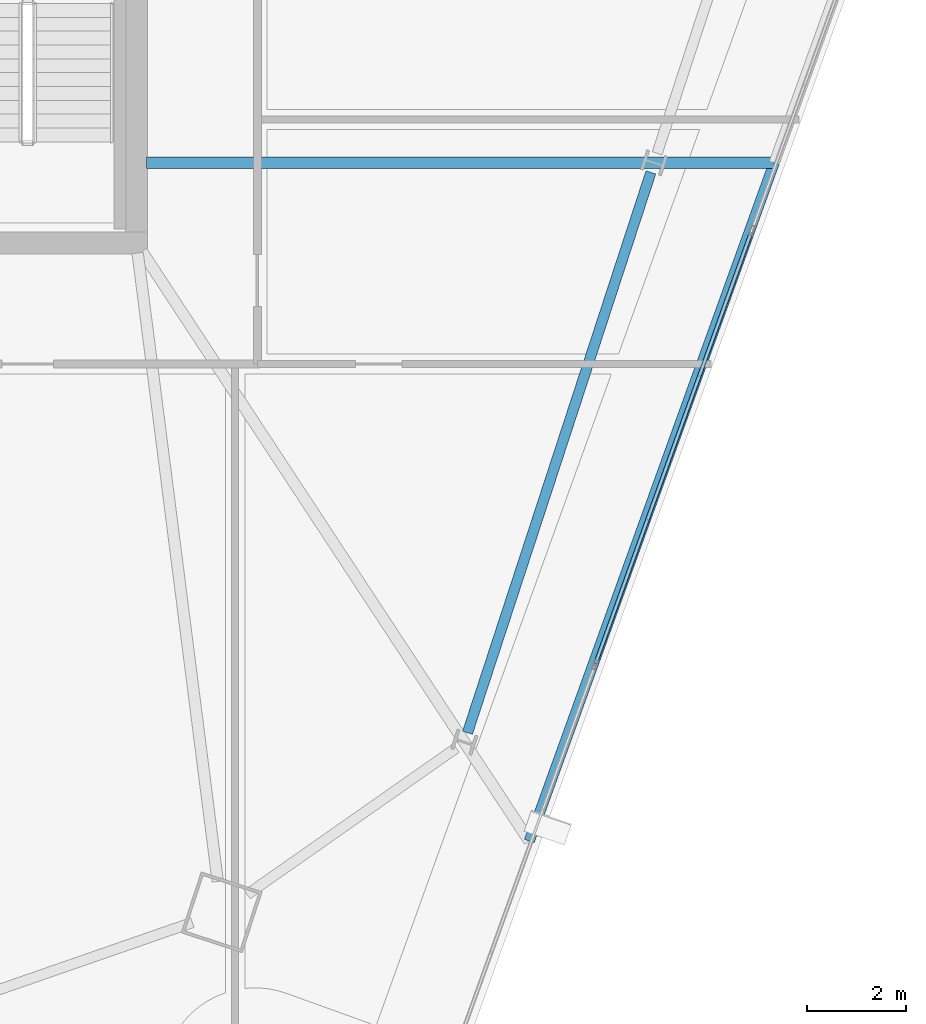
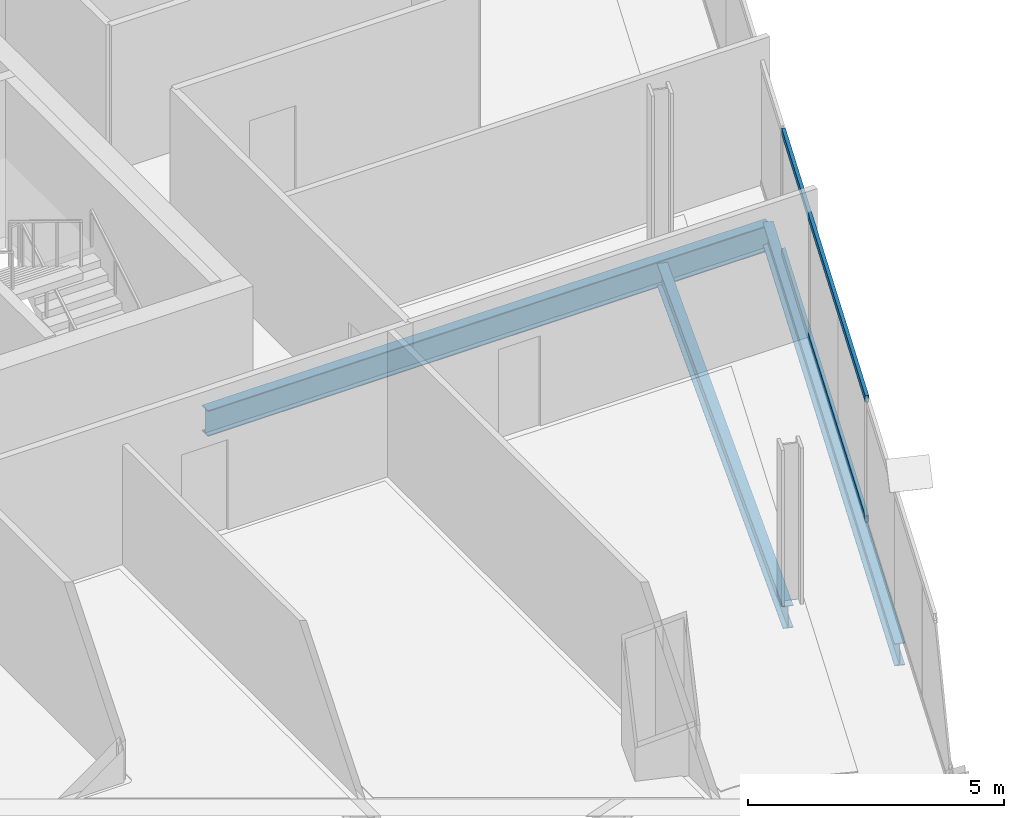
# One storey, part 10 of 27: 3 beams, 2 members, 1 element without a shape of its own.
"""IFC4 building model written with IfcOpenShell, lengths in metres."""

from ifc_helpers import new_model, si_unit, direction, frame, origin, origin_2d, place, context, subcontext, project, spatial, hollow_rectangle, i_section, extrude, material, material_profile, profile_set, type_object, element, aggregate, save


model = new_model("IFC4")

# Units and contexts
model_context = context("Model", 3, precision=1e-05, world=origin(), true_north=direction((0.0, 1.0)))
body_context = subcontext(model_context, "Body", "Model", "MODEL_VIEW")
ifc_project = project(units=[si_unit("LENGTHUNIT", "METRE"), si_unit("AREAUNIT", "SQUARE_METRE"), si_unit("VOLUMEUNIT", "CUBIC_METRE"), si_unit("PLANEANGLEUNIT", "RADIAN"), si_unit("MASSUNIT", "GRAM", prefix="KILO")], contexts=[model_context])

# Site, building, storey
site_placement = place(None, origin())
site = spatial("IfcSite", under=ifc_project, at=site_placement, CompositionType="ELEMENT")
building_placement = place(site_placement, origin())
building = spatial("IfcBuilding", under=site, at=building_placement, Name="Haldenkirk Collegiate Tower", CompositionType="ELEMENT")
storey_placement = place(building_placement, frame((0.0, 0.0, 263.699951171875)))
storey = spatial("IfcBuildingStorey", under=building, at=storey_placement, Name="L66", CompositionType="ELEMENT", Elevation=263.699951171875)

# Beams
ifc_material_1 = material(Name="Steel ASTM A992 Grade 50", Category="steel")
ifc_material_profile_1 = material_profile(ifc_material_1, i_section(OverallWidth=0.22998046875, OverallDepth=0.616943359375, WebThickness=0.01318359375, FlangeThickness=0.022216796875, at=origin_2d()), Name="W24X94")
ifc_profile_set_1 = profile_set([ifc_material_profile_1], Name="Steel ASTM A992 Grade 50")
beam_type_1 = type_object("IfcBeamType", Name="BM-GIRDER-W24X94", PredefinedType="BEAM", material=ifc_profile_set_1)
beam_1_placement = place(storey_placement, frame((57.917236328125, 19.624267578125, -0.578369140625), z_axis=(-1.0, 0.0, 0.0), x_axis=(0.0, -1.0, 0.0)))
element("IfcBeam", 1, at=beam_1_placement, inside=storey, type_object=beam_type_1, Name="L66 primary floor girder 06", PredefinedType="BEAM", context=body_context, shape_type="SweptSolid", body=[
    extrude(i_section(OverallWidth=0.22998046875, OverallDepth=0.616943359375, WebThickness=0.01318359375, FlangeThickness=0.022216796875, at=origin_2d()), origin(), (0.0, 0.0, 1.0), 12.712158203125),
])
ifc_material_profile_2 = material_profile(ifc_material_1, i_section(OverallWidth=0.2099609375, OverallDepth=0.537109375, WebThickness=0.010986328125, FlangeThickness=0.017333984375, at=origin_2d()), Name="W21X68")
ifc_profile_set_2 = profile_set([ifc_material_profile_2], Name="Steel ASTM A992 Grade 50")
beam_type_2 = type_object("IfcBeamType", Name="BM-SPANDREL-W21X68", PredefinedType="SPANDREL", material=ifc_profile_set_2)
beam_2_placement = place(storey_placement, frame((51.7060546875, 8.081298828125, -0.538330078125), z_axis=(0.311010188249, 0.950406577631, 0.0), x_axis=(-0.950406577631, 0.311010188249, 0.0)))
element("IfcBeam", 2, at=beam_2_placement, inside=storey, type_object=beam_type_2, Name="L66 perimeter spandrel beam 02", PredefinedType="SPANDREL", context=body_context, shape_type="SweptSolid", body=[
    extrude(i_section(OverallWidth=0.2099609375, OverallDepth=0.537109375, WebThickness=0.010986328125, FlangeThickness=0.017333984375, at=origin_2d()), origin(), (0.0, 0.0, 1.0), 11.94287109375),
])
beam_3_placement = place(storey_placement, frame((52.9580078125, 5.88720703125, -0.538330078125), z_axis=(0.339561074215, 0.940584008411, 0.0), x_axis=(-0.940584008411, 0.339561074215, 0.0)))
element("IfcBeam", 3, at=beam_3_placement, inside=storey, type_object=beam_type_2, Name="L66 outer facade edge beam 1A", PredefinedType="SPANDREL", context=body_context, shape_type="SweptSolid", body=[
    extrude(i_section(OverallWidth=0.2099609375, OverallDepth=0.537109375, WebThickness=0.010986328125, FlangeThickness=0.017333984375, at=origin_2d()), origin(), (0.0, 0.0, 1.0), 14.604736328125),
])

# Curtain wall, members
ifc_material_2 = material(Name="Anodised architectural bronze aluminium", Category="aluminium")
curtain_wall_type = type_object("IfcCurtainWallType", Name="CW-SYS2-CONCAVE", PredefinedType="USERDEFINED", material=ifc_material_2)
curtain_wall_placement = place(storey_placement, origin())
curtain_wall = element("IfcCurtainWall", 4, at=curtain_wall_placement, inside=storey, type_object=curtain_wall_type, Name="L66 South concave recessed bronze-anodised curtain wall", ObjectType="UNITISED CURTAIN WALL", PredefinedType="USERDEFINED")
ifc_material_profile_3 = material_profile(ifc_material_2, hollow_rectangle(XDim=0.074951171875, YDim=0.159912109375, WallThickness=0.0048828125, at=origin_2d()), Name="CW-TRN-02")
ifc_profile_set_3 = profile_set([ifc_material_profile_3], Name="Anodised architectural bronze aluminium")
member_type = type_object("IfcMemberType", Name="CW-TRN-02", PredefinedType="USERDEFINED", material=ifc_profile_set_3)
member_1_placement = place(storey_placement, frame((57.451416015625, 18.216064453125, 0.03759765625), z_axis=(-0.339552613971, -0.940587062608, 0.0), x_axis=(0.940587062608, -0.339552613971, 0.0)))
member_1 = element("IfcMember", 5, at=member_1_placement, type_object=member_type, Name="CW-02 transom 3.1", ObjectType="TRANSOM", PredefinedType="USERDEFINED", context=body_context, shape_type="SweptSolid", body=[
    extrude(hollow_rectangle(XDim=0.074951171875, YDim=0.159912109375, WallThickness=0.0048828125, at=origin_2d()), origin(), (0.0, 0.0, 1.0), 9.275146484375),
])
member_2_placement = place(storey_placement, frame((57.451416015625, 18.216064453125, 2.900634765625), z_axis=(-0.339552613971, -0.940587062608, 0.0), x_axis=(0.940587062608, -0.339552613971, 0.0)))
member_2 = element("IfcMember", 6, at=member_2_placement, type_object=member_type, Name="CW-02 transom 3.2", ObjectType="TRANSOM", PredefinedType="USERDEFINED", context=body_context, shape_type="SweptSolid", body=[
    extrude(hollow_rectangle(XDim=0.074951171875, YDim=0.159912109375, WallThickness=0.0048828125, at=origin_2d()), origin(), (0.0, 0.0, 1.0), 9.275146484375),
])
aggregate(curtain_wall, [member_1, member_2])

save(model, "model.ifc")
